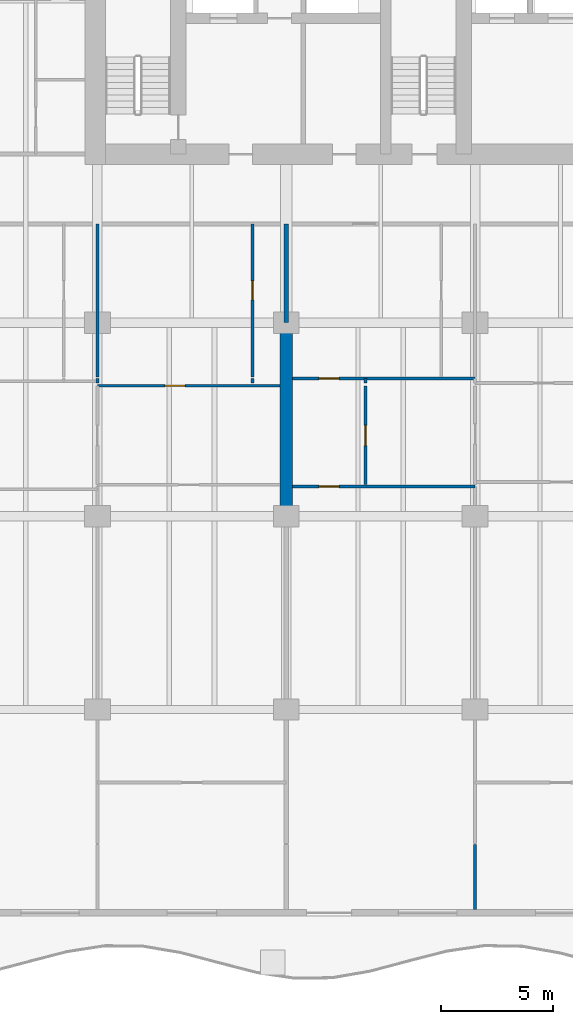
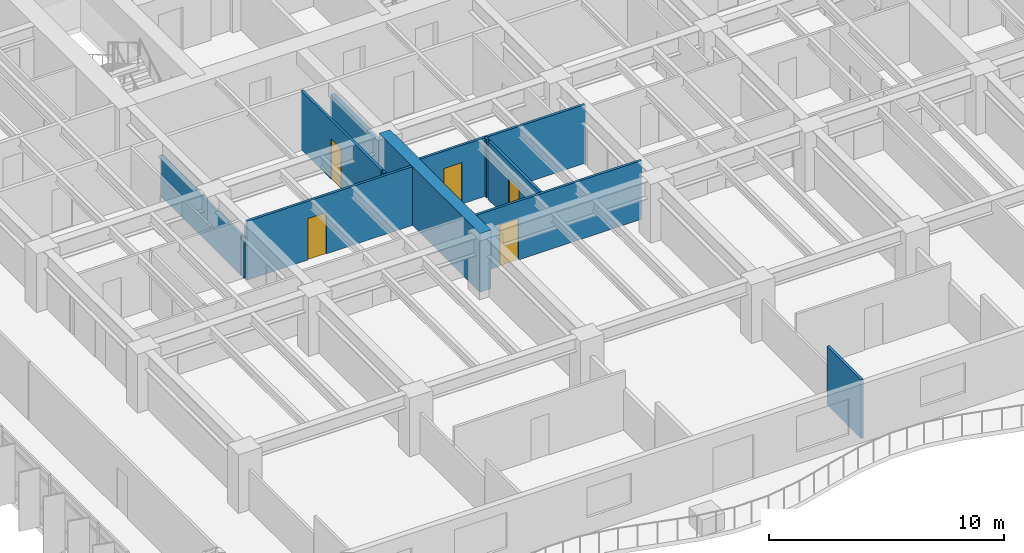
# One storey, part 7 of 17: 12 walls, 5 doors, 5 openings.
"""IFC4 building model written with IfcOpenShell, lengths in metres."""

from ifc_helpers import new_model, si_unit, direction, frame, frame_2d, origin, place, context, subcontext, project, spatial, rectangle, extrude, material, layer, layer_set, type_object, element, fill, save


model = new_model("IFC4")

# Units and contexts
model_context = context("Model", 3, precision=1e-05, world=origin(), true_north=direction((0.0, 1.0)))
body_context = subcontext(model_context, "Body", "Model", "MODEL_VIEW")
ifc_project = project(units=[si_unit("LENGTHUNIT", "METRE"), si_unit("AREAUNIT", "SQUARE_METRE"), si_unit("VOLUMEUNIT", "CUBIC_METRE"), si_unit("PLANEANGLEUNIT", "RADIAN"), si_unit("MASSUNIT", "GRAM", prefix="KILO")], contexts=[model_context])

# Site, building, storey
site_placement = place(None, origin())
site = spatial("IfcSite", under=ifc_project, at=site_placement, CompositionType="ELEMENT")
building_placement = place(site_placement, origin())
building = spatial("IfcBuilding", under=site, at=building_placement, Name="Caelmar Bay Residences", CompositionType="ELEMENT")
storey_placement = place(building_placement, frame((0.0, 0.0, 59.699951171875)))
storey = spatial("IfcBuildingStorey", under=building, at=storey_placement, Name="L15", CompositionType="ELEMENT", Elevation=59.699951171875)

# Walls
ifc_material_1 = material(Name="Concrete f'c 70 MPa (10,000 psi)", Category="concrete")
ifc_layer_1 = layer(ifc_material_1, 0.550048828125)
ifc_layer_set_1 = layer_set([ifc_layer_1], Name="Concrete f'c 70 MPa (10,000 psi)")
wall_type_1 = type_object("IfcWallType", Name="SW-XSLB-550", PredefinedType="SHEAR", material=ifc_layer_set_1)
wall_1_placement = place(storey_placement, frame((26.699951171875, 20.800048828125, 0.0), z_axis=(0.0, 0.0, 1.0), x_axis=(0.0, 1.0, 0.0)))
element("IfcWall", 1, at=wall_1_placement, inside=storey, type_object=wall_type_1, Name="L15 Transverse Cross-Slab Shear Wall W5", PredefinedType="SHEAR", context=body_context, shape_type="SweptSolid", body=[
    extrude(rectangle(XDim=8.599853515625, YDim=0.550048828125, at=frame_2d((4.2998046875, 0.0))), origin(), (0.0, 0.0, 1.0), 3.050048828125),
])
ifc_material_2 = material(Name="Acoustic metal-stud gypsum partition 120 mm")
ifc_layer_2 = layer(ifc_material_2, 0.1201171875)
ifc_layer_set_2 = layer_set([ifc_layer_2], Name="Acoustic metal-stud gypsum partition 120 mm")
wall_type_2 = type_object("IfcWallType", Name="W-PRT-120", PredefinedType="PARTITIONING", material=ifc_layer_set_2)
wall_2_placement = place(storey_placement, frame((18.300048828125, 26.719970703125, 0.0), z_axis=(0.0, 0.0, 1.0), x_axis=(0.0, 1.0, 0.0)))
element("IfcWall", 2, at=wall_2_placement, inside=storey, type_object=wall_type_2, Name="L15 Partition Wall V022", PredefinedType="PARTITIONING", context=body_context, shape_type="SweptSolid", body=[
    extrude(rectangle(XDim=0.199951171875, YDim=0.1201171875, at=frame_2d((0.10009765625, 0.0))), origin(), (0.0, 0.0, 1.0), 2.110107421875),
])
wall_3_placement = place(storey_placement, frame((18.300048828125, 26.97998046875, 0.0), z_axis=(0.0, 0.0, 1.0), x_axis=(0.0, 1.0, 0.0)))
element("IfcWall", 3, at=wall_3_placement, inside=storey, type_object=wall_type_2, Name="L15 Partition Wall V023", PredefinedType="PARTITIONING", context=body_context, shape_type="SweptSolid", body=[
    extrude(rectangle(XDim=6.820068359375, YDim=0.1201171875, at=frame_2d((3.41015625, 0.0))), origin(), (0.0, 0.0, 1.0), 2.110107421875),
])
wall_4_placement = place(storey_placement, frame((25.199951171875, 26.719970703125, 0.0), z_axis=(0.0, 0.0, 1.0), x_axis=(0.0, 1.0, 0.0)))
element("IfcWall", 4, at=wall_4_placement, inside=storey, type_object=wall_type_2, Name="L15 Partition Wall V025", PredefinedType="PARTITIONING", context=body_context, shape_type="SweptSolid", body=[
    extrude(rectangle(XDim=0.199951171875, YDim=0.1201171875, at=frame_2d((0.10009765625, 0.0))), origin(), (0.0, 0.0, 1.0), 3.050048828125),
])

# Wall, opening, door
wall_5_placement = place(storey_placement, frame((25.199951171875, 26.97998046875, 0.0), z_axis=(0.0, 0.0, 1.0), x_axis=(0.0, 1.0, 0.0)))
wall_5 = element("IfcWall", 5, at=wall_5_placement, inside=storey, type_object=wall_type_2, Name="L15 Partition Wall V026", PredefinedType="PARTITIONING", context=body_context, shape_type="SweptSolid", body=[
    extrude(rectangle(XDim=6.820068359375, YDim=0.1201171875, at=frame_2d((3.41015625, 0.0))), origin(), (0.0, 0.0, 1.0), 3.050048828125),
])
opening_1_placement = place(wall_5_placement, frame((3.43505859375, 0.0, 0.0)))
opening_1 = element("IfcOpeningElement", 6, at=opening_1_placement, cuts=wall_5, Name="Opening D-L15-128", PredefinedType="OPENING", context=body_context, shape_type="SweptSolid", body=[
    extrude(rectangle(XDim=0.85009765625, YDim=2.10009765625, at=frame_2d((0.425048828125, 1.050048828125))), frame((0.0, 0.070068359375, 0.0), z_axis=(0.0, -1.0, 0.0), x_axis=(1.0, 0.0, 0.0)), (0.0, 0.0, 1.0), 0.14013671875),
])
ifc_material_3 = material(Name="Solid walnut timber interior door leaf and frame", Category="wood")
ifc_layer_3 = layer(ifc_material_3, 0.050048828125)
ifc_layer_set_3 = layer_set([ifc_layer_3], Name="Solid walnut timber interior door leaf and frame")
door_type_1 = type_object("IfcDoorType", Name="D-BATH-850", OperationType="NOTDEFINED", PredefinedType="DOOR", material=ifc_layer_set_3)
door_1_placement = place(opening_1_placement, origin())
door_1 = element("IfcDoor", 7, at=door_1_placement, inside=storey, type_object=door_type_1, Name="L15 Residence 01 En-Suite Bathroom 1 Door", OperationType="SINGLE_SWING_LEFT", OverallHeight=2.10009765625, OverallWidth=0.85009765625, PredefinedType="DOOR", context=body_context, shape_type="SweptSolid", body=[
    extrude(rectangle(XDim=0.85009765625, YDim=2.10009765625, at=frame_2d((0.425048828125, 1.050048828125))), frame((0.0, 0.02490234375, 0.0), z_axis=(0.0, -1.0, 0.0), x_axis=(1.0, 0.0, 0.0)), (0.0, 0.0, 1.0), 0.050048828125),
])
fill(opening_1, door_1)

wall_6_placement = place(storey_placement, frame((30.22802734375, 22.199951171875, 0.0), z_axis=(0.0, 0.0, 1.0), x_axis=(0.0, 1.0, 0.0)))
wall_6 = element("IfcWall", 8, at=wall_6_placement, inside=storey, type_object=wall_type_2, Name="L15 Partition Wall V033", PredefinedType="PARTITIONING", context=body_context, shape_type="SweptSolid", body=[
    extrude(rectangle(XDim=4.380126953125, YDim=0.1201171875, at=frame_2d((2.18994140625, 0.0))), origin(), (0.0, 0.0, 1.0), 3.050048828125),
])
opening_2_placement = place(wall_6_placement, frame((1.739990234375, 0.0, 0.0)))
opening_2 = element("IfcOpeningElement", 9, at=opening_2_placement, cuts=wall_6, Name="Opening D-L15-135", PredefinedType="OPENING", context=body_context, shape_type="SweptSolid", body=[
    extrude(rectangle(XDim=0.89990234375, YDim=2.14990234375, at=frame_2d((0.449951171875, 1.074951171875))), frame((0.0, 0.070068359375, 0.0), z_axis=(0.0, -1.0, 0.0), x_axis=(1.0, 0.0, 0.0)), (0.0, 0.0, 1.0), 0.14013671875),
])
ifc_layer_4 = layer(ifc_material_3, 0.050048828125)
ifc_layer_set_4 = layer_set([ifc_layer_4], Name="Solid walnut timber interior door leaf and frame")
door_type_2 = type_object("IfcDoorType", Name="D-ROOM-900", OperationType="NOTDEFINED", PredefinedType="DOOR", material=ifc_layer_set_4)
door_2_placement = place(opening_2_placement, origin())
door_2 = element("IfcDoor", 10, at=door_2_placement, inside=storey, type_object=door_type_2, Name="L15 Residence 02 Kitchen Door", OperationType="SINGLE_SWING_RIGHT", OverallHeight=2.14990234375, OverallWidth=0.89990234375, PredefinedType="DOOR", context=body_context, shape_type="SweptSolid", body=[
    extrude(rectangle(XDim=0.89990234375, YDim=2.14990234375, at=frame_2d((0.449951171875, 1.074951171875))), frame((0.0, 0.02490234375, 0.0), z_axis=(0.0, -1.0, 0.0), x_axis=(1.0, 0.0, 0.0)), (0.0, 0.0, 1.0), 0.050048828125),
])
fill(opening_2, door_2)

# Walls
wall_7_placement = place(storey_placement, frame((30.22802734375, 26.719970703125, 0.0), z_axis=(0.0, 0.0, 1.0), x_axis=(0.0, 1.0, 0.0)))
element("IfcWall", 11, at=wall_7_placement, inside=storey, type_object=wall_type_2, Name="L15 Partition Wall V034", PredefinedType="PARTITIONING", context=body_context, shape_type="SweptSolid", body=[
    extrude(rectangle(XDim=0.199951171875, YDim=0.1201171875, at=frame_2d((0.10009765625, 0.0))), origin(), (0.0, 0.0, 1.0), 3.050048828125),
])
wall_8_placement = place(storey_placement, frame((35.10009765625, 3.294921875, 0.0), z_axis=(0.0, 0.0, 1.0), x_axis=(0.0, 1.0, 0.0)))
element("IfcWall", 12, at=wall_8_placement, inside=storey, type_object=wall_type_2, Name="L15 Partition Wall V037", PredefinedType="PARTITIONING", context=body_context, shape_type="SweptSolid", body=[
    extrude(rectangle(XDim=2.905029296875, YDim=0.1201171875, at=frame_2d((1.45263671875, 0.0))), origin(), (0.0, 0.0, 1.0), 3.050048828125),
])

# Wall, opening, door
wall_9_placement = place(storey_placement, frame((26.969970703125, 22.1201171875, 0.0), z_axis=(0.0, 0.0, 1.0), x_axis=(1.0, 0.0, 0.0)))
wall_9 = element("IfcWall", 13, at=wall_9_placement, inside=storey, type_object=wall_type_2, Name="L15 Partition Wall H109", PredefinedType="PARTITIONING", context=body_context, shape_type="SweptSolid", body=[
    extrude(rectangle(XDim=8.130126953125, YDim=0.1201171875, at=frame_2d((4.06494140625, 0.0))), origin(), (0.0, 0.0, 1.0), 3.050048828125),
])
opening_3_placement = place(wall_9_placement, frame((1.178955078125, 0.0, 0.0)))
opening_3 = element("IfcOpeningElement", 14, at=opening_3_placement, cuts=wall_9, Name="Opening D-L15-136", PredefinedType="OPENING", context=body_context, shape_type="SweptSolid", body=[
    extrude(rectangle(XDim=0.89990234375, YDim=2.14990234375, at=frame_2d((0.449951171875, 1.074951171875))), frame((0.0, 0.070068359375, 0.0), z_axis=(0.0, -1.0, 0.0), x_axis=(1.0, 0.0, 0.0)), (0.0, 0.0, 1.0), 0.14013671875),
])
door_3_placement = place(opening_3_placement, origin())
door_3 = element("IfcDoor", 15, at=door_3_placement, inside=storey, type_object=door_type_2, Name="L15 Residence 02 Penthouse Living Salon Door", OperationType="SINGLE_SWING_LEFT", OverallHeight=2.14990234375, OverallWidth=0.89990234375, PredefinedType="DOOR", context=body_context, shape_type="SweptSolid", body=[
    extrude(rectangle(XDim=0.89990234375, YDim=2.14990234375, at=frame_2d((0.449951171875, 1.074951171875))), frame((0.0, 0.02490234375, 0.0), z_axis=(0.0, -1.0, 0.0), x_axis=(1.0, 0.0, 0.0)), (0.0, 0.0, 1.0), 0.050048828125),
])
fill(opening_3, door_3)

wall_10_placement = place(storey_placement, frame((18.300048828125, 26.60009765625, 0.0), z_axis=(0.0, 0.0, 1.0), x_axis=(1.0, 0.0, 0.0)))
wall_10 = element("IfcWall", 16, at=wall_10_placement, inside=storey, type_object=wall_type_2, Name="L15 Partition Wall H113", PredefinedType="PARTITIONING", context=body_context, shape_type="SweptSolid", body=[
    extrude(rectangle(XDim=8.1298828125, YDim=0.1201171875, at=frame_2d((4.06494140625, 0.0))), origin(), (0.0, 0.0, 1.0), 3.050048828125),
])
opening_4_placement = place(wall_10_placement, frame((3.0, 0.0, 0.0)))
opening_4 = element("IfcOpeningElement", 17, at=opening_4_placement, cuts=wall_10, Name="Opening D-L15-127", PredefinedType="OPENING", context=body_context, shape_type="SweptSolid", body=[
    extrude(rectangle(XDim=0.89990234375, YDim=2.14990234375, at=frame_2d((0.449951171875, 1.074951171875))), frame((0.0, 0.070068359375, 0.0), z_axis=(0.0, -1.0, 0.0), x_axis=(1.0, 0.0, 0.0)), (0.0, 0.0, 1.0), 0.14013671875),
])
door_4_placement = place(opening_4_placement, origin())
door_4 = element("IfcDoor", 18, at=door_4_placement, inside=storey, type_object=door_type_2, Name="L15 Residence 01 Private Meeting Room 1 Door", OperationType="SINGLE_SWING_RIGHT", OverallHeight=2.14990234375, OverallWidth=0.89990234375, PredefinedType="DOOR", context=body_context, shape_type="SweptSolid", body=[
    extrude(rectangle(XDim=0.89990234375, YDim=2.14990234375, at=frame_2d((0.449951171875, 1.074951171875))), frame((0.0, 0.02490234375, 0.0), z_axis=(0.0, -1.0, 0.0), x_axis=(1.0, 0.0, 0.0)), (0.0, 0.0, 1.0), 0.050048828125),
])
fill(opening_4, door_4)

wall_11_placement = place(storey_placement, frame((26.969970703125, 26.919921875, 0.0), z_axis=(0.0, 0.0, 1.0), x_axis=(1.0, 0.0, 0.0)))
wall_11 = element("IfcWall", 19, at=wall_11_placement, inside=storey, type_object=wall_type_2, Name="L15 Partition Wall H117", PredefinedType="PARTITIONING", context=body_context, shape_type="SweptSolid", body=[
    extrude(rectangle(XDim=8.130126953125, YDim=0.1201171875, at=frame_2d((4.06494140625, 0.0))), origin(), (0.0, 0.0, 1.0), 3.050048828125),
])
opening_5_placement = place(wall_11_placement, frame((1.178955078125, 0.0, 0.0)))
opening_5 = element("IfcOpeningElement", 20, at=opening_5_placement, cuts=wall_11, Name="Opening D-L15-134", PredefinedType="OPENING", context=body_context, shape_type="SweptSolid", body=[
    extrude(rectangle(XDim=0.89990234375, YDim=2.14990234375, at=frame_2d((0.449951171875, 1.074951171875))), frame((0.0, 0.070068359375, 0.0), z_axis=(0.0, -1.0, 0.0), x_axis=(1.0, 0.0, 0.0)), (0.0, 0.0, 1.0), 0.14013671875),
])
door_5_placement = place(opening_5_placement, origin())
door_5 = element("IfcDoor", 21, at=door_5_placement, inside=storey, type_object=door_type_2, Name="L15 Residence 02 Dining Room Door", OperationType="SINGLE_SWING_LEFT", OverallHeight=2.14990234375, OverallWidth=0.89990234375, PredefinedType="DOOR", context=body_context, shape_type="SweptSolid", body=[
    extrude(rectangle(XDim=0.89990234375, YDim=2.14990234375, at=frame_2d((0.449951171875, 1.074951171875))), frame((0.0, 0.02490234375, 0.0), z_axis=(0.0, -1.0, 0.0), x_axis=(1.0, 0.0, 0.0)), (0.0, 0.0, 1.0), 0.050048828125),
])
fill(opening_5, door_5)

# Wall
ifc_material_4 = material(Name="Acoustic twin-stud fire-rated inter-tenancy partition 200 mm")
ifc_layer_5 = layer(ifc_material_4, 0.199951171875)
ifc_layer_set_5 = layer_set([ifc_layer_5], Name="Acoustic twin-stud fire-rated inter-tenancy partition 200 mm")
wall_type_3 = type_object("IfcWallType", Name="W-PTY-200", PredefinedType="PARTITIONING", material=ifc_layer_set_5)
wall_12_placement = place(storey_placement, frame((26.699951171875, 29.405029296875, 0.0), z_axis=(0.0, 0.0, 1.0), x_axis=(0.0, 1.0, 0.0)))
element("IfcWall", 22, at=wall_12_placement, inside=storey, type_object=wall_type_3, Name="L15 Partition Wall V030", PredefinedType="PARTITIONING", context=body_context, shape_type="SweptSolid", body=[
    extrude(rectangle(XDim=4.39501953125, YDim=0.199951171875, at=frame_2d((2.197509765625, 0.0))), origin(), (0.0, 0.0, 1.0), 2.3349609375),
])

save(model, "model.ifc")
